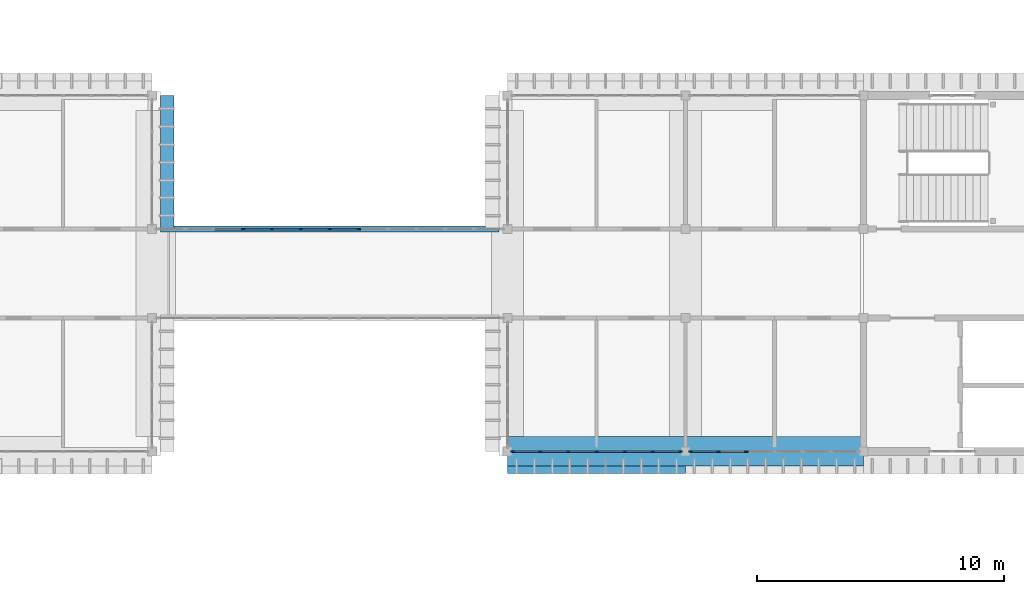
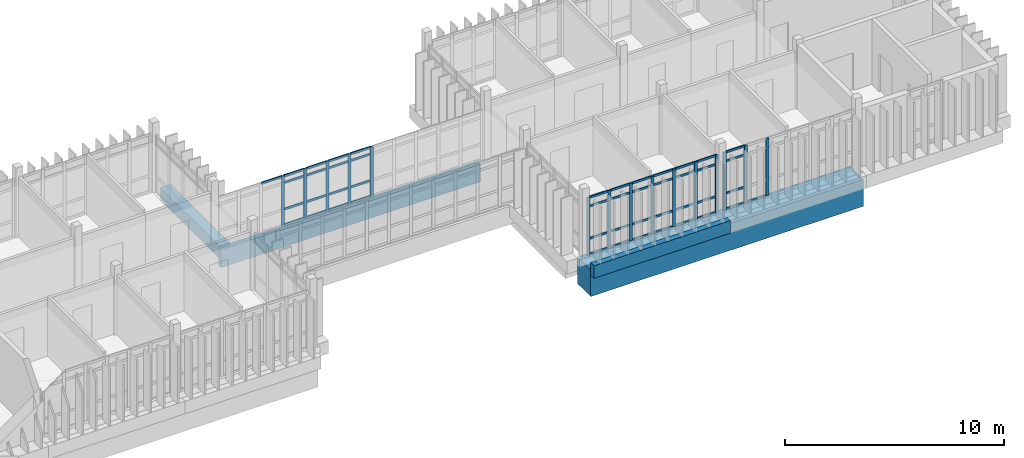
# One storey, part 15 of 69: 63 members, 2 beams, 3 elements without a shape of their own.
"""IFC4 building model written with IfcOpenShell, lengths in metres."""

from ifc_helpers import new_model, si_unit, direction, frame, origin, origin_2d, place, context, subcontext, project, spatial, rectangle, extrude, material, layer, layer_set, material_profile, profile_set, type_object, element, aggregate, save


model = new_model("IFC4")

# Units and contexts
model_context = context("Model", 3, precision=1e-05, world=origin(), true_north=direction((0.0, 1.0)))
body_context = subcontext(model_context, "Body", "Model", "MODEL_VIEW")
ifc_project = project(units=[si_unit("LENGTHUNIT", "METRE"), si_unit("AREAUNIT", "SQUARE_METRE"), si_unit("VOLUMEUNIT", "CUBIC_METRE"), si_unit("PLANEANGLEUNIT", "RADIAN"), si_unit("MASSUNIT", "GRAM", prefix="KILO")], contexts=[model_context])

# Site, building, storey
site_placement = place(None, origin())
site = spatial("IfcSite", under=ifc_project, at=site_placement, CompositionType="ELEMENT")
building_placement = place(site_placement, origin())
building = spatial("IfcBuilding", under=site, at=building_placement, Name="Mazhai Court Health Centre", CompositionType="ELEMENT")
storey_placement = place(building_placement, frame((0.0, 0.0, 6.300048828125)))
storey = spatial("IfcBuildingStorey", under=building, at=storey_placement, Name="L01", CompositionType="ELEMENT", Elevation=6.300048828125)

# Curtain wall, members
ifc_material_1 = material(Name="Teak timber frame, glazed", Category="wood")
ifc_layer = layer(ifc_material_1, 0.10009765625)
ifc_layer_set = layer_set([ifc_layer], Name="CURTAIN WALL TIMBER 1200")
curtain_wall_type = type_object("IfcCurtainWallType", Name="CURTAIN WALL TIMBER 1200", PredefinedType="NOTDEFINED", material=ifc_layer_set)
curtain_wall_1_placement = place(storey_placement, origin())
curtain_wall_1 = element("IfcCurtainWall", 1, at=curtain_wall_1_placement, inside=storey, type_object=curtain_wall_type, Name="CW-V4-L01-A5", PredefinedType="NOTDEFINED")
ifc_material_2 = material(Name="Teak timber", Category="wood")
ifc_material_profile_1 = material_profile(ifc_material_2, rectangle(XDim=0.06005859375, YDim=0.159912109375, at=origin_2d()), Name="CW MULLION 60x160")
ifc_profile_set_1 = profile_set([ifc_material_profile_1], Name="Teak timber")
member_type_1 = type_object("IfcMemberType", Name="CW MULLION 60x160", PredefinedType="MULLION", material=ifc_profile_set_1)
member_1_placement = place(storey_placement, frame((113.989990234375, 13.39990234375, 0.0), z_axis=(0.0, 0.0, 1.0), x_axis=(0.0, -1.0, 0.0)))
member_1 = element("IfcMember", 2, at=member_1_placement, type_object=member_type_1, Name="CW mullion 1", PredefinedType="MULLION", context=body_context, shape_type="SweptSolid", body=[
    extrude(rectangle(XDim=0.06005859375, YDim=0.159912109375, at=origin_2d()), origin(), (0.0, 0.0, 1.0), 3.219970703125),
])
member_2_placement = place(storey_placement, frame((112.8798828125, 13.39990234375, 0.0), z_axis=(0.0, 0.0, 1.0), x_axis=(0.0, -1.0, 0.0)))
member_2 = element("IfcMember", 3, at=member_2_placement, type_object=member_type_1, Name="CW mullion 2", PredefinedType="MULLION", context=body_context, shape_type="SweptSolid", body=[
    extrude(rectangle(XDim=0.06005859375, YDim=0.159912109375, at=origin_2d()), origin(), (0.0, 0.0, 1.0), 3.219970703125),
])
member_3_placement = place(storey_placement, frame((111.739990234375, 13.39990234375, 0.0), z_axis=(0.0, 0.0, 1.0), x_axis=(0.0, -1.0, 0.0)))
member_3 = element("IfcMember", 4, at=member_3_placement, type_object=member_type_1, Name="CW mullion 3", PredefinedType="MULLION", context=body_context, shape_type="SweptSolid", body=[
    extrude(rectangle(XDim=0.06005859375, YDim=0.159912109375, at=origin_2d()), origin(), (0.0, 0.0, 1.0), 3.219970703125),
])
member_4_placement = place(storey_placement, frame((110.60009765625, 13.39990234375, 0.0), z_axis=(0.0, 0.0, 1.0), x_axis=(0.0, -1.0, 0.0)))
member_4 = element("IfcMember", 5, at=member_4_placement, type_object=member_type_1, Name="CW mullion 4", PredefinedType="MULLION", context=body_context, shape_type="SweptSolid", body=[
    extrude(rectangle(XDim=0.06005859375, YDim=0.159912109375, at=origin_2d()), origin(), (0.0, 0.0, 1.0), 3.219970703125),
])
member_5_placement = place(storey_placement, frame((109.4599609375, 13.39990234375, 0.0), z_axis=(0.0, 0.0, 1.0), x_axis=(0.0, -1.0, 0.0)))
member_5 = element("IfcMember", 6, at=member_5_placement, type_object=member_type_1, Name="CW mullion 5", PredefinedType="MULLION", context=body_context, shape_type="SweptSolid", body=[
    extrude(rectangle(XDim=0.06005859375, YDim=0.159912109375, at=origin_2d()), origin(), (0.0, 0.0, 1.0), 3.219970703125),
])
member_6_placement = place(storey_placement, frame((108.320068359375, 13.39990234375, 0.0), z_axis=(0.0, 0.0, 1.0), x_axis=(0.0, -1.0, 0.0)))
member_6 = element("IfcMember", 7, at=member_6_placement, type_object=member_type_1, Name="CW mullion 6", PredefinedType="MULLION", context=body_context, shape_type="SweptSolid", body=[
    extrude(rectangle(XDim=0.06005859375, YDim=0.159912109375, at=origin_2d()), origin(), (0.0, 0.0, 1.0), 3.219970703125),
])
member_7_placement = place(storey_placement, frame((107.2099609375, 13.39990234375, 0.0), z_axis=(0.0, 0.0, 1.0), x_axis=(0.0, -1.0, 0.0)))
member_7 = element("IfcMember", 8, at=member_7_placement, type_object=member_type_1, Name="CW mullion 7", PredefinedType="MULLION", context=body_context, shape_type="SweptSolid", body=[
    extrude(rectangle(XDim=0.06005859375, YDim=0.159912109375, at=origin_2d()), origin(), (0.0, 0.0, 1.0), 3.219970703125),
])

curtain_wall_2_placement = place(storey_placement, origin())
curtain_wall_2 = element("IfcCurtainWall", 9, at=curtain_wall_2_placement, inside=storey, type_object=curtain_wall_type, Name="CW-V4-L01-A6", PredefinedType="NOTDEFINED")
member_8_placement = place(storey_placement, frame((116.659912109375, 13.39990234375, 0.0), z_axis=(0.0, 0.0, 1.0), x_axis=(0.0, -1.0, 0.0)))
member_8 = element("IfcMember", 10, at=member_8_placement, type_object=member_type_1, Name="CW mullion 5", PredefinedType="MULLION", context=body_context, shape_type="SweptSolid", body=[
    extrude(rectangle(XDim=0.06005859375, YDim=0.159912109375, at=origin_2d()), origin(), (0.0, 0.0, 1.0), 3.219970703125),
])
member_9_placement = place(storey_placement, frame((115.52001953125, 13.39990234375, 0.0), z_axis=(0.0, 0.0, 1.0), x_axis=(0.0, -1.0, 0.0)))
member_9 = element("IfcMember", 11, at=member_9_placement, type_object=member_type_1, Name="CW mullion 6", PredefinedType="MULLION", context=body_context, shape_type="SweptSolid", body=[
    extrude(rectangle(XDim=0.06005859375, YDim=0.159912109375, at=origin_2d()), origin(), (0.0, 0.0, 1.0), 3.219970703125),
])
member_10_placement = place(storey_placement, frame((114.409912109375, 13.39990234375, 0.0), z_axis=(0.0, 0.0, 1.0), x_axis=(0.0, -1.0, 0.0)))
member_10 = element("IfcMember", 12, at=member_10_placement, type_object=member_type_1, Name="CW mullion 7", PredefinedType="MULLION", context=body_context, shape_type="SweptSolid", body=[
    extrude(rectangle(XDim=0.06005859375, YDim=0.159912109375, at=origin_2d()), origin(), (0.0, 0.0, 1.0), 3.219970703125),
])

curtain_wall_3_placement = place(storey_placement, origin())
curtain_wall_3 = element("IfcCurtainWall", 13, at=curtain_wall_3_placement, inside=storey, type_object=curtain_wall_type, Name="CW-BR-LC1-N", PredefinedType="NOTDEFINED")
member_11_placement = place(storey_placement, frame((96.2900390625, 22.39990234375, 0.0), z_axis=(0.0, 0.0, 1.0), x_axis=(0.0, 1.0, 0.0)))
member_11 = element("IfcMember", 14, at=member_11_placement, type_object=member_type_1, Name="CW mullion 4", PredefinedType="MULLION", context=body_context, shape_type="SweptSolid", body=[
    extrude(rectangle(XDim=0.06005859375, YDim=0.159912109375, at=origin_2d()), origin(), (0.0, 0.0, 1.0), 2.780029296875),
])
member_12_placement = place(storey_placement, frame((97.4599609375, 22.39990234375, 0.0), z_axis=(0.0, 0.0, 1.0), x_axis=(0.0, 1.0, 0.0)))
member_12 = element("IfcMember", 15, at=member_12_placement, type_object=member_type_1, Name="CW mullion 5", PredefinedType="MULLION", context=body_context, shape_type="SweptSolid", body=[
    extrude(rectangle(XDim=0.06005859375, YDim=0.159912109375, at=origin_2d()), origin(), (0.0, 0.0, 1.0), 2.780029296875),
])
member_13_placement = place(storey_placement, frame((98.6298828125, 22.39990234375, 0.0), z_axis=(0.0, 0.0, 1.0), x_axis=(0.0, 1.0, 0.0)))
member_13 = element("IfcMember", 16, at=member_13_placement, type_object=member_type_1, Name="CW mullion 6", PredefinedType="MULLION", context=body_context, shape_type="SweptSolid", body=[
    extrude(rectangle(XDim=0.06005859375, YDim=0.159912109375, at=origin_2d()), origin(), (0.0, 0.0, 1.0), 2.780029296875),
])
member_14_placement = place(storey_placement, frame((99.800048828125, 22.39990234375, 0.0), z_axis=(0.0, 0.0, 1.0), x_axis=(0.0, 1.0, 0.0)))
member_14 = element("IfcMember", 17, at=member_14_placement, type_object=member_type_1, Name="CW mullion 7", PredefinedType="MULLION", context=body_context, shape_type="SweptSolid", body=[
    extrude(rectangle(XDim=0.06005859375, YDim=0.159912109375, at=origin_2d()), origin(), (0.0, 0.0, 1.0), 2.780029296875),
])
member_15_placement = place(storey_placement, frame((100.969970703125, 22.39990234375, 0.0), z_axis=(0.0, 0.0, 1.0), x_axis=(0.0, 1.0, 0.0)))
member_15 = element("IfcMember", 18, at=member_15_placement, type_object=member_type_1, Name="CW mullion 8", PredefinedType="MULLION", context=body_context, shape_type="SweptSolid", body=[
    extrude(rectangle(XDim=0.06005859375, YDim=0.159912109375, at=origin_2d()), origin(), (0.0, 0.0, 1.0), 2.780029296875),
])

# Member
ifc_material_3 = material(Name="Teak timber", Category="wood")
ifc_material_profile_2 = material_profile(ifc_material_3, rectangle(XDim=0.06005859375, YDim=0.1201171875, at=origin_2d()), Name="CW TRANSOM 60x120")
ifc_profile_set_2 = profile_set([ifc_material_profile_2], Name="Teak timber")
member_type_2 = type_object("IfcMemberType", Name="CW TRANSOM 60x120", PredefinedType="USERDEFINED", material=ifc_profile_set_2)
member_16_placement = place(storey_placement, frame((113.9599609375, 13.39990234375, 0.030029296875), z_axis=(-1.0, 0.0, 0.0), x_axis=(0.0, -1.0, 0.0)))
member_16 = element("IfcMember", 19, at=member_16_placement, type_object=member_type_2, Name="CW transom 1.1", ObjectType="TRANSOM", PredefinedType="USERDEFINED", context=body_context, shape_type="SweptSolid", body=[
    extrude(rectangle(XDim=0.06005859375, YDim=0.1201171875, at=origin_2d()), origin(), (0.0, 0.0, 1.0), 1.050048828125),
])

member_17_placement = place(storey_placement, frame((113.9599609375, 13.39990234375, 0.89990234375), z_axis=(-1.0, 0.0, 0.0), x_axis=(0.0, -1.0, 0.0)))
member_17 = element("IfcMember", 20, at=member_17_placement, type_object=member_type_2, Name="CW transom 1.2", ObjectType="TRANSOM", PredefinedType="USERDEFINED", context=body_context, shape_type="SweptSolid", body=[
    extrude(rectangle(XDim=0.06005859375, YDim=0.1201171875, at=origin_2d()), origin(), (0.0, 0.0, 1.0), 1.050048828125),
])

member_18_placement = place(storey_placement, frame((113.9599609375, 13.39990234375, 2.699951171875), z_axis=(-1.0, 0.0, 0.0), x_axis=(0.0, -1.0, 0.0)))
member_18 = element("IfcMember", 21, at=member_18_placement, type_object=member_type_2, Name="CW transom 1.3", ObjectType="TRANSOM", PredefinedType="USERDEFINED", context=body_context, shape_type="SweptSolid", body=[
    extrude(rectangle(XDim=0.06005859375, YDim=0.1201171875, at=origin_2d()), origin(), (0.0, 0.0, 1.0), 1.050048828125),
])

member_19_placement = place(storey_placement, frame((113.9599609375, 13.39990234375, 3.18994140625), z_axis=(-1.0, 0.0, 0.0), x_axis=(0.0, -1.0, 0.0)))
member_19 = element("IfcMember", 22, at=member_19_placement, type_object=member_type_2, Name="CW transom 1.4", ObjectType="TRANSOM", PredefinedType="USERDEFINED", context=body_context, shape_type="SweptSolid", body=[
    extrude(rectangle(XDim=0.06005859375, YDim=0.1201171875, at=origin_2d()), origin(), (0.0, 0.0, 1.0), 1.050048828125),
])

member_20_placement = place(storey_placement, frame((112.85009765625, 13.39990234375, 0.030029296875), z_axis=(-1.0, 0.0, 0.0), x_axis=(0.0, -1.0, 0.0)))
member_20 = element("IfcMember", 23, at=member_20_placement, type_object=member_type_2, Name="CW transom 2.1", ObjectType="TRANSOM", PredefinedType="USERDEFINED", context=body_context, shape_type="SweptSolid", body=[
    extrude(rectangle(XDim=0.06005859375, YDim=0.1201171875, at=origin_2d()), origin(), (0.0, 0.0, 1.0), 1.080078125),
])

member_21_placement = place(storey_placement, frame((112.85009765625, 13.39990234375, 0.89990234375), z_axis=(-1.0, 0.0, 0.0), x_axis=(0.0, -1.0, 0.0)))
member_21 = element("IfcMember", 24, at=member_21_placement, type_object=member_type_2, Name="CW transom 2.2", ObjectType="TRANSOM", PredefinedType="USERDEFINED", context=body_context, shape_type="SweptSolid", body=[
    extrude(rectangle(XDim=0.06005859375, YDim=0.1201171875, at=origin_2d()), origin(), (0.0, 0.0, 1.0), 1.080078125),
])

member_22_placement = place(storey_placement, frame((112.85009765625, 13.39990234375, 2.699951171875), z_axis=(-1.0, 0.0, 0.0), x_axis=(0.0, -1.0, 0.0)))
member_22 = element("IfcMember", 25, at=member_22_placement, type_object=member_type_2, Name="CW transom 2.3", ObjectType="TRANSOM", PredefinedType="USERDEFINED", context=body_context, shape_type="SweptSolid", body=[
    extrude(rectangle(XDim=0.06005859375, YDim=0.1201171875, at=origin_2d()), origin(), (0.0, 0.0, 1.0), 1.080078125),
])

member_23_placement = place(storey_placement, frame((112.85009765625, 13.39990234375, 3.18994140625), z_axis=(-1.0, 0.0, 0.0), x_axis=(0.0, -1.0, 0.0)))
member_23 = element("IfcMember", 26, at=member_23_placement, type_object=member_type_2, Name="CW transom 2.4", ObjectType="TRANSOM", PredefinedType="USERDEFINED", context=body_context, shape_type="SweptSolid", body=[
    extrude(rectangle(XDim=0.06005859375, YDim=0.1201171875, at=origin_2d()), origin(), (0.0, 0.0, 1.0), 1.080078125),
])

member_24_placement = place(storey_placement, frame((111.7099609375, 13.39990234375, 0.030029296875), z_axis=(-1.0, 0.0, 0.0), x_axis=(0.0, -1.0, 0.0)))
member_24 = element("IfcMember", 27, at=member_24_placement, type_object=member_type_2, Name="CW transom 3.1", ObjectType="TRANSOM", PredefinedType="USERDEFINED", context=body_context, shape_type="SweptSolid", body=[
    extrude(rectangle(XDim=0.06005859375, YDim=0.1201171875, at=origin_2d()), origin(), (0.0, 0.0, 1.0), 1.080078125),
])

member_25_placement = place(storey_placement, frame((111.7099609375, 13.39990234375, 0.89990234375), z_axis=(-1.0, 0.0, 0.0), x_axis=(0.0, -1.0, 0.0)))
member_25 = element("IfcMember", 28, at=member_25_placement, type_object=member_type_2, Name="CW transom 3.2", ObjectType="TRANSOM", PredefinedType="USERDEFINED", context=body_context, shape_type="SweptSolid", body=[
    extrude(rectangle(XDim=0.06005859375, YDim=0.1201171875, at=origin_2d()), origin(), (0.0, 0.0, 1.0), 1.080078125),
])

member_26_placement = place(storey_placement, frame((111.7099609375, 13.39990234375, 2.699951171875), z_axis=(-1.0, 0.0, 0.0), x_axis=(0.0, -1.0, 0.0)))
member_26 = element("IfcMember", 29, at=member_26_placement, type_object=member_type_2, Name="CW transom 3.3", ObjectType="TRANSOM", PredefinedType="USERDEFINED", context=body_context, shape_type="SweptSolid", body=[
    extrude(rectangle(XDim=0.06005859375, YDim=0.1201171875, at=origin_2d()), origin(), (0.0, 0.0, 1.0), 1.080078125),
])

member_27_placement = place(storey_placement, frame((111.7099609375, 13.39990234375, 3.18994140625), z_axis=(-1.0, 0.0, 0.0), x_axis=(0.0, -1.0, 0.0)))
member_27 = element("IfcMember", 30, at=member_27_placement, type_object=member_type_2, Name="CW transom 3.4", ObjectType="TRANSOM", PredefinedType="USERDEFINED", context=body_context, shape_type="SweptSolid", body=[
    extrude(rectangle(XDim=0.06005859375, YDim=0.1201171875, at=origin_2d()), origin(), (0.0, 0.0, 1.0), 1.080078125),
])

member_28_placement = place(storey_placement, frame((110.570068359375, 13.39990234375, 0.030029296875), z_axis=(-1.0, 0.0, 0.0), x_axis=(0.0, -1.0, 0.0)))
member_28 = element("IfcMember", 31, at=member_28_placement, type_object=member_type_2, Name="CW transom 4.1", ObjectType="TRANSOM", PredefinedType="USERDEFINED", context=body_context, shape_type="SweptSolid", body=[
    extrude(rectangle(XDim=0.06005859375, YDim=0.1201171875, at=origin_2d()), origin(), (0.0, 0.0, 1.0), 1.080078125),
])

member_29_placement = place(storey_placement, frame((110.570068359375, 13.39990234375, 0.89990234375), z_axis=(-1.0, 0.0, 0.0), x_axis=(0.0, -1.0, 0.0)))
member_29 = element("IfcMember", 32, at=member_29_placement, type_object=member_type_2, Name="CW transom 4.2", ObjectType="TRANSOM", PredefinedType="USERDEFINED", context=body_context, shape_type="SweptSolid", body=[
    extrude(rectangle(XDim=0.06005859375, YDim=0.1201171875, at=origin_2d()), origin(), (0.0, 0.0, 1.0), 1.080078125),
])

member_30_placement = place(storey_placement, frame((110.570068359375, 13.39990234375, 2.699951171875), z_axis=(-1.0, 0.0, 0.0), x_axis=(0.0, -1.0, 0.0)))
member_30 = element("IfcMember", 33, at=member_30_placement, type_object=member_type_2, Name="CW transom 4.3", ObjectType="TRANSOM", PredefinedType="USERDEFINED", context=body_context, shape_type="SweptSolid", body=[
    extrude(rectangle(XDim=0.06005859375, YDim=0.1201171875, at=origin_2d()), origin(), (0.0, 0.0, 1.0), 1.080078125),
])

member_31_placement = place(storey_placement, frame((110.570068359375, 13.39990234375, 3.18994140625), z_axis=(-1.0, 0.0, 0.0), x_axis=(0.0, -1.0, 0.0)))
member_31 = element("IfcMember", 34, at=member_31_placement, type_object=member_type_2, Name="CW transom 4.4", ObjectType="TRANSOM", PredefinedType="USERDEFINED", context=body_context, shape_type="SweptSolid", body=[
    extrude(rectangle(XDim=0.06005859375, YDim=0.1201171875, at=origin_2d()), origin(), (0.0, 0.0, 1.0), 1.080078125),
])

member_32_placement = place(storey_placement, frame((109.429931640625, 13.39990234375, 0.030029296875), z_axis=(-1.0, 0.0, 0.0), x_axis=(0.0, -1.0, 0.0)))
member_32 = element("IfcMember", 35, at=member_32_placement, type_object=member_type_2, Name="CW transom 5.1", ObjectType="TRANSOM", PredefinedType="USERDEFINED", context=body_context, shape_type="SweptSolid", body=[
    extrude(rectangle(XDim=0.06005859375, YDim=0.1201171875, at=origin_2d()), origin(), (0.0, 0.0, 1.0), 1.079833984375),
])

member_33_placement = place(storey_placement, frame((109.429931640625, 13.39990234375, 0.89990234375), z_axis=(-1.0, 0.0, 0.0), x_axis=(0.0, -1.0, 0.0)))
member_33 = element("IfcMember", 36, at=member_33_placement, type_object=member_type_2, Name="CW transom 5.2", ObjectType="TRANSOM", PredefinedType="USERDEFINED", context=body_context, shape_type="SweptSolid", body=[
    extrude(rectangle(XDim=0.06005859375, YDim=0.1201171875, at=origin_2d()), origin(), (0.0, 0.0, 1.0), 1.079833984375),
])

member_34_placement = place(storey_placement, frame((109.429931640625, 13.39990234375, 2.699951171875), z_axis=(-1.0, 0.0, 0.0), x_axis=(0.0, -1.0, 0.0)))
member_34 = element("IfcMember", 37, at=member_34_placement, type_object=member_type_2, Name="CW transom 5.3", ObjectType="TRANSOM", PredefinedType="USERDEFINED", context=body_context, shape_type="SweptSolid", body=[
    extrude(rectangle(XDim=0.06005859375, YDim=0.1201171875, at=origin_2d()), origin(), (0.0, 0.0, 1.0), 1.079833984375),
])

member_35_placement = place(storey_placement, frame((109.429931640625, 13.39990234375, 3.18994140625), z_axis=(-1.0, 0.0, 0.0), x_axis=(0.0, -1.0, 0.0)))
member_35 = element("IfcMember", 38, at=member_35_placement, type_object=member_type_2, Name="CW transom 5.4", ObjectType="TRANSOM", PredefinedType="USERDEFINED", context=body_context, shape_type="SweptSolid", body=[
    extrude(rectangle(XDim=0.06005859375, YDim=0.1201171875, at=origin_2d()), origin(), (0.0, 0.0, 1.0), 1.079833984375),
])

member_36_placement = place(storey_placement, frame((108.2900390625, 13.39990234375, 0.030029296875), z_axis=(-1.0, 0.0, 0.0), x_axis=(0.0, -1.0, 0.0)))
member_36 = element("IfcMember", 39, at=member_36_placement, type_object=member_type_2, Name="CW transom 6.1", ObjectType="TRANSOM", PredefinedType="USERDEFINED", context=body_context, shape_type="SweptSolid", body=[
    extrude(rectangle(XDim=0.06005859375, YDim=0.1201171875, at=origin_2d()), origin(), (0.0, 0.0, 1.0), 1.050048828125),
])

member_37_placement = place(storey_placement, frame((108.2900390625, 13.39990234375, 0.89990234375), z_axis=(-1.0, 0.0, 0.0), x_axis=(0.0, -1.0, 0.0)))
member_37 = element("IfcMember", 40, at=member_37_placement, type_object=member_type_2, Name="CW transom 6.2", ObjectType="TRANSOM", PredefinedType="USERDEFINED", context=body_context, shape_type="SweptSolid", body=[
    extrude(rectangle(XDim=0.06005859375, YDim=0.1201171875, at=origin_2d()), origin(), (0.0, 0.0, 1.0), 1.050048828125),
])

member_38_placement = place(storey_placement, frame((108.2900390625, 13.39990234375, 2.699951171875), z_axis=(-1.0, 0.0, 0.0), x_axis=(0.0, -1.0, 0.0)))
member_38 = element("IfcMember", 41, at=member_38_placement, type_object=member_type_2, Name="CW transom 6.3", ObjectType="TRANSOM", PredefinedType="USERDEFINED", context=body_context, shape_type="SweptSolid", body=[
    extrude(rectangle(XDim=0.06005859375, YDim=0.1201171875, at=origin_2d()), origin(), (0.0, 0.0, 1.0), 1.050048828125),
])

member_39_placement = place(storey_placement, frame((108.2900390625, 13.39990234375, 3.18994140625), z_axis=(-1.0, 0.0, 0.0), x_axis=(0.0, -1.0, 0.0)))
member_39 = element("IfcMember", 42, at=member_39_placement, type_object=member_type_2, Name="CW transom 6.4", ObjectType="TRANSOM", PredefinedType="USERDEFINED", context=body_context, shape_type="SweptSolid", body=[
    extrude(rectangle(XDim=0.06005859375, YDim=0.1201171875, at=origin_2d()), origin(), (0.0, 0.0, 1.0), 1.050048828125),
])

aggregate(curtain_wall_1, [member_1, member_2, member_3, member_4, member_5, member_6, member_7, member_16, member_17, member_18, member_19, member_20, member_21, member_22, member_23, member_24, member_25, member_26, member_27, member_28, member_29, member_30, member_31, member_32, member_33, member_34, member_35, member_36, member_37, member_38, member_39])

member_40_placement = place(storey_placement, frame((116.6298828125, 13.39990234375, 0.030029296875), z_axis=(-1.0, 0.0, 0.0), x_axis=(0.0, -1.0, 0.0)))
member_40 = element("IfcMember", 43, at=member_40_placement, type_object=member_type_2, Name="CW transom 5.1", ObjectType="TRANSOM", PredefinedType="USERDEFINED", context=body_context, shape_type="SweptSolid", body=[
    extrude(rectangle(XDim=0.06005859375, YDim=0.1201171875, at=origin_2d()), origin(), (0.0, 0.0, 1.0), 1.079833984375),
])

member_41_placement = place(storey_placement, frame((115.489990234375, 13.39990234375, 0.030029296875), z_axis=(-1.0, 0.0, 0.0), x_axis=(0.0, -1.0, 0.0)))
member_41 = element("IfcMember", 44, at=member_41_placement, type_object=member_type_2, Name="CW transom 6.1", ObjectType="TRANSOM", PredefinedType="USERDEFINED", context=body_context, shape_type="SweptSolid", body=[
    extrude(rectangle(XDim=0.06005859375, YDim=0.1201171875, at=origin_2d()), origin(), (0.0, 0.0, 1.0), 1.050048828125),
])

member_42_placement = place(storey_placement, frame((115.489990234375, 13.39990234375, 0.89990234375), z_axis=(-1.0, 0.0, 0.0), x_axis=(0.0, -1.0, 0.0)))
member_42 = element("IfcMember", 45, at=member_42_placement, type_object=member_type_2, Name="CW transom 6.2", ObjectType="TRANSOM", PredefinedType="USERDEFINED", context=body_context, shape_type="SweptSolid", body=[
    extrude(rectangle(XDim=0.06005859375, YDim=0.1201171875, at=origin_2d()), origin(), (0.0, 0.0, 1.0), 1.050048828125),
])

member_43_placement = place(storey_placement, frame((115.489990234375, 13.39990234375, 2.699951171875), z_axis=(-1.0, 0.0, 0.0), x_axis=(0.0, -1.0, 0.0)))
member_43 = element("IfcMember", 46, at=member_43_placement, type_object=member_type_2, Name="CW transom 6.3", ObjectType="TRANSOM", PredefinedType="USERDEFINED", context=body_context, shape_type="SweptSolid", body=[
    extrude(rectangle(XDim=0.06005859375, YDim=0.1201171875, at=origin_2d()), origin(), (0.0, 0.0, 1.0), 1.050048828125),
])

member_44_placement = place(storey_placement, frame((115.489990234375, 13.39990234375, 3.18994140625), z_axis=(-1.0, 0.0, 0.0), x_axis=(0.0, -1.0, 0.0)))
member_44 = element("IfcMember", 47, at=member_44_placement, type_object=member_type_2, Name="CW transom 6.4", ObjectType="TRANSOM", PredefinedType="USERDEFINED", context=body_context, shape_type="SweptSolid", body=[
    extrude(rectangle(XDim=0.06005859375, YDim=0.1201171875, at=origin_2d()), origin(), (0.0, 0.0, 1.0), 1.050048828125),
])

aggregate(curtain_wall_2, [member_8, member_9, member_10, member_40, member_41, member_42, member_43, member_44])

member_45_placement = place(storey_placement, frame((95.14990234375, 22.39990234375, 2.75), z_axis=(1.0, 0.0, 0.0), x_axis=(0.0, 1.0, 0.0)))
member_45 = element("IfcMember", 48, at=member_45_placement, type_object=member_type_2, Name="CW transom 3.4", ObjectType="TRANSOM", PredefinedType="USERDEFINED", context=body_context, shape_type="SweptSolid", body=[
    extrude(rectangle(XDim=0.06005859375, YDim=0.1201171875, at=origin_2d()), origin(), (0.0, 0.0, 1.0), 1.110107421875),
])

member_46_placement = place(storey_placement, frame((96.320068359375, 22.39990234375, 0.030029296875), z_axis=(1.0, 0.0, 0.0), x_axis=(0.0, 1.0, 0.0)))
member_46 = element("IfcMember", 49, at=member_46_placement, type_object=member_type_2, Name="CW transom 4.1", ObjectType="TRANSOM", PredefinedType="USERDEFINED", context=body_context, shape_type="SweptSolid", body=[
    extrude(rectangle(XDim=0.06005859375, YDim=0.1201171875, at=origin_2d()), origin(), (0.0, 0.0, 1.0), 1.10986328125),
])

member_47_placement = place(storey_placement, frame((96.320068359375, 22.39990234375, 0.89990234375), z_axis=(1.0, 0.0, 0.0), x_axis=(0.0, 1.0, 0.0)))
member_47 = element("IfcMember", 50, at=member_47_placement, type_object=member_type_2, Name="CW transom 4.2", ObjectType="TRANSOM", PredefinedType="USERDEFINED", context=body_context, shape_type="SweptSolid", body=[
    extrude(rectangle(XDim=0.06005859375, YDim=0.1201171875, at=origin_2d()), origin(), (0.0, 0.0, 1.0), 1.10986328125),
])

member_48_placement = place(storey_placement, frame((96.320068359375, 22.39990234375, 2.3798828125), z_axis=(1.0, 0.0, 0.0), x_axis=(0.0, 1.0, 0.0)))
member_48 = element("IfcMember", 51, at=member_48_placement, type_object=member_type_2, Name="CW transom 4.3", ObjectType="TRANSOM", PredefinedType="USERDEFINED", context=body_context, shape_type="SweptSolid", body=[
    extrude(rectangle(XDim=0.06005859375, YDim=0.1201171875, at=origin_2d()), origin(), (0.0, 0.0, 1.0), 1.10986328125),
])

member_49_placement = place(storey_placement, frame((96.320068359375, 22.39990234375, 2.75), z_axis=(1.0, 0.0, 0.0), x_axis=(0.0, 1.0, 0.0)))
member_49 = element("IfcMember", 52, at=member_49_placement, type_object=member_type_2, Name="CW transom 4.4", ObjectType="TRANSOM", PredefinedType="USERDEFINED", context=body_context, shape_type="SweptSolid", body=[
    extrude(rectangle(XDim=0.06005859375, YDim=0.1201171875, at=origin_2d()), origin(), (0.0, 0.0, 1.0), 1.10986328125),
])

member_50_placement = place(storey_placement, frame((97.489990234375, 22.39990234375, 0.030029296875), z_axis=(1.0, 0.0, 0.0), x_axis=(0.0, 1.0, 0.0)))
member_50 = element("IfcMember", 53, at=member_50_placement, type_object=member_type_2, Name="CW transom 5.1", ObjectType="TRANSOM", PredefinedType="USERDEFINED", context=body_context, shape_type="SweptSolid", body=[
    extrude(rectangle(XDim=0.06005859375, YDim=0.1201171875, at=origin_2d()), origin(), (0.0, 0.0, 1.0), 1.110107421875),
])

member_51_placement = place(storey_placement, frame((97.489990234375, 22.39990234375, 0.89990234375), z_axis=(1.0, 0.0, 0.0), x_axis=(0.0, 1.0, 0.0)))
member_51 = element("IfcMember", 54, at=member_51_placement, type_object=member_type_2, Name="CW transom 5.2", ObjectType="TRANSOM", PredefinedType="USERDEFINED", context=body_context, shape_type="SweptSolid", body=[
    extrude(rectangle(XDim=0.06005859375, YDim=0.1201171875, at=origin_2d()), origin(), (0.0, 0.0, 1.0), 1.110107421875),
])

member_52_placement = place(storey_placement, frame((97.489990234375, 22.39990234375, 2.3798828125), z_axis=(1.0, 0.0, 0.0), x_axis=(0.0, 1.0, 0.0)))
member_52 = element("IfcMember", 55, at=member_52_placement, type_object=member_type_2, Name="CW transom 5.3", ObjectType="TRANSOM", PredefinedType="USERDEFINED", context=body_context, shape_type="SweptSolid", body=[
    extrude(rectangle(XDim=0.06005859375, YDim=0.1201171875, at=origin_2d()), origin(), (0.0, 0.0, 1.0), 1.110107421875),
])

member_53_placement = place(storey_placement, frame((97.489990234375, 22.39990234375, 2.75), z_axis=(1.0, 0.0, 0.0), x_axis=(0.0, 1.0, 0.0)))
member_53 = element("IfcMember", 56, at=member_53_placement, type_object=member_type_2, Name="CW transom 5.4", ObjectType="TRANSOM", PredefinedType="USERDEFINED", context=body_context, shape_type="SweptSolid", body=[
    extrude(rectangle(XDim=0.06005859375, YDim=0.1201171875, at=origin_2d()), origin(), (0.0, 0.0, 1.0), 1.110107421875),
])

member_54_placement = place(storey_placement, frame((98.659912109375, 22.39990234375, 0.030029296875), z_axis=(1.0, 0.0, 0.0), x_axis=(0.0, 1.0, 0.0)))
member_54 = element("IfcMember", 57, at=member_54_placement, type_object=member_type_2, Name="CW transom 6.1", ObjectType="TRANSOM", PredefinedType="USERDEFINED", context=body_context, shape_type="SweptSolid", body=[
    extrude(rectangle(XDim=0.06005859375, YDim=0.1201171875, at=origin_2d()), origin(), (0.0, 0.0, 1.0), 1.110107421875),
])

member_55_placement = place(storey_placement, frame((98.659912109375, 22.39990234375, 0.89990234375), z_axis=(1.0, 0.0, 0.0), x_axis=(0.0, 1.0, 0.0)))
member_55 = element("IfcMember", 58, at=member_55_placement, type_object=member_type_2, Name="CW transom 6.2", ObjectType="TRANSOM", PredefinedType="USERDEFINED", context=body_context, shape_type="SweptSolid", body=[
    extrude(rectangle(XDim=0.06005859375, YDim=0.1201171875, at=origin_2d()), origin(), (0.0, 0.0, 1.0), 1.110107421875),
])

member_56_placement = place(storey_placement, frame((98.659912109375, 22.39990234375, 2.3798828125), z_axis=(1.0, 0.0, 0.0), x_axis=(0.0, 1.0, 0.0)))
member_56 = element("IfcMember", 59, at=member_56_placement, type_object=member_type_2, Name="CW transom 6.3", ObjectType="TRANSOM", PredefinedType="USERDEFINED", context=body_context, shape_type="SweptSolid", body=[
    extrude(rectangle(XDim=0.06005859375, YDim=0.1201171875, at=origin_2d()), origin(), (0.0, 0.0, 1.0), 1.110107421875),
])

member_57_placement = place(storey_placement, frame((98.659912109375, 22.39990234375, 2.75), z_axis=(1.0, 0.0, 0.0), x_axis=(0.0, 1.0, 0.0)))
member_57 = element("IfcMember", 60, at=member_57_placement, type_object=member_type_2, Name="CW transom 6.4", ObjectType="TRANSOM", PredefinedType="USERDEFINED", context=body_context, shape_type="SweptSolid", body=[
    extrude(rectangle(XDim=0.06005859375, YDim=0.1201171875, at=origin_2d()), origin(), (0.0, 0.0, 1.0), 1.110107421875),
])

member_58_placement = place(storey_placement, frame((99.830078125, 22.39990234375, 0.030029296875), z_axis=(1.0, 0.0, 0.0), x_axis=(0.0, 1.0, 0.0)))
member_58 = element("IfcMember", 61, at=member_58_placement, type_object=member_type_2, Name="CW transom 7.1", ObjectType="TRANSOM", PredefinedType="USERDEFINED", context=body_context, shape_type="SweptSolid", body=[
    extrude(rectangle(XDim=0.06005859375, YDim=0.1201171875, at=origin_2d()), origin(), (0.0, 0.0, 1.0), 1.10986328125),
])

member_59_placement = place(storey_placement, frame((99.830078125, 22.39990234375, 0.89990234375), z_axis=(1.0, 0.0, 0.0), x_axis=(0.0, 1.0, 0.0)))
member_59 = element("IfcMember", 62, at=member_59_placement, type_object=member_type_2, Name="CW transom 7.2", ObjectType="TRANSOM", PredefinedType="USERDEFINED", context=body_context, shape_type="SweptSolid", body=[
    extrude(rectangle(XDim=0.06005859375, YDim=0.1201171875, at=origin_2d()), origin(), (0.0, 0.0, 1.0), 1.10986328125),
])

member_60_placement = place(storey_placement, frame((99.830078125, 22.39990234375, 2.3798828125), z_axis=(1.0, 0.0, 0.0), x_axis=(0.0, 1.0, 0.0)))
member_60 = element("IfcMember", 63, at=member_60_placement, type_object=member_type_2, Name="CW transom 7.3", ObjectType="TRANSOM", PredefinedType="USERDEFINED", context=body_context, shape_type="SweptSolid", body=[
    extrude(rectangle(XDim=0.06005859375, YDim=0.1201171875, at=origin_2d()), origin(), (0.0, 0.0, 1.0), 1.10986328125),
])

member_61_placement = place(storey_placement, frame((99.830078125, 22.39990234375, 2.75), z_axis=(1.0, 0.0, 0.0), x_axis=(0.0, 1.0, 0.0)))
member_61 = element("IfcMember", 64, at=member_61_placement, type_object=member_type_2, Name="CW transom 7.4", ObjectType="TRANSOM", PredefinedType="USERDEFINED", context=body_context, shape_type="SweptSolid", body=[
    extrude(rectangle(XDim=0.06005859375, YDim=0.1201171875, at=origin_2d()), origin(), (0.0, 0.0, 1.0), 1.10986328125),
])

aggregate(curtain_wall_3, [member_11, member_12, member_13, member_14, member_15, member_45, member_46, member_47, member_48, member_49, member_50, member_51, member_52, member_53, member_54, member_55, member_56, member_57, member_58, member_59, member_60, member_61])

# Members
ifc_material_4 = material(Name="Glulam GL24h", Category="wood")
ifc_material_profile_3 = material_profile(ifc_material_4, rectangle(XDim=0.300048828125, YDim=0.699951171875, at=origin_2d()), Name="FIN RAIL 300x700")
ifc_profile_set_3 = profile_set([ifc_material_profile_3], Name="Glulam GL24h")
member_type_3 = type_object("IfcMemberType", Name="FIN RAIL 300x700", PredefinedType="USERDEFINED", material=ifc_profile_set_3)
member_62_placement = place(storey_placement, frame((114.199951171875, 12.64990234375, -0.35009765625), z_axis=(-1.0, 0.0, 0.0), x_axis=(0.0, -1.0, 0.0)))
element("IfcMember", 65, at=member_62_placement, inside=storey, type_object=member_type_3, Name="FR-V4-A3-L01", ObjectType="FIN RAIL", PredefinedType="USERDEFINED", context=body_context, shape_type="SweptSolid", body=[
    extrude(rectangle(XDim=0.300048828125, YDim=0.699951171875, at=origin_2d()), origin(), (0.0, 0.0, 1.0), 7.199951171875),
])
ifc_material_5 = material(Name="Glulam GL24h", Category="wood")
ifc_material_profile_4 = material_profile(ifc_material_5, rectangle(XDim=0.550048828125, YDim=0.699951171875, at=origin_2d()), Name="FIN RAIL 550x700")
ifc_profile_set_4 = profile_set([ifc_material_profile_4], Name="Glulam GL24h")
member_type_4 = type_object("IfcMemberType", Name="FIN RAIL 550x700", PredefinedType="USERDEFINED", material=ifc_profile_set_4)
member_63_placement = place(storey_placement, frame((93.22509765625, 27.800048828125, -0.35009765625), z_axis=(0.0, -1.0, 0.0), x_axis=(1.0, 0.0, 0.0)))
element("IfcMember", 66, at=member_63_placement, inside=storey, type_object=member_type_4, Name="FR-V4-CE2-1-L01", ObjectType="FIN RAIL", PredefinedType="USERDEFINED", context=body_context, shape_type="SweptSolid", body=[
    extrude(rectangle(XDim=0.550048828125, YDim=0.699951171875, at=origin_2d()), origin(), (0.0, 0.0, 1.0), 5.400146484375),
])

# Beams
ifc_material_6 = material(Name="Glulam GL28h", Category="wood")
ifc_material_profile_5 = material_profile(ifc_material_6, rectangle(XDim=0.239990234375, YDim=1.0, at=origin_2d()), Name="GL28h 240x1000")
ifc_profile_set_5 = profile_set([ifc_material_profile_5], Name="Glulam GL28h")
beam_type_1 = type_object("IfcBeamType", Name="GL28h 240x1000 girder", PredefinedType="BEAM", material=ifc_profile_set_5)
beam_1_placement = place(storey_placement, frame((92.949951171875, 22.39990234375, -0.6201171875), z_axis=(1.0, 0.0, 0.0), x_axis=(0.0, 1.0, 0.0)))
element("IfcBeam", 67, at=beam_1_placement, inside=storey, type_object=beam_type_1, Name="girder-BR-LC1-N", PredefinedType="BEAM", context=body_context, shape_type="SweptSolid", body=[
    extrude(rectangle(XDim=0.239990234375, YDim=1.0, at=origin_2d()), origin(), (0.0, 0.0, 1.0), 13.699951171875),
])
ifc_material_7 = material(Name="Concrete M40", Category="concrete")
ifc_material_profile_6 = material_profile(ifc_material_7, rectangle(XDim=1.199951171875, YDim=1.5, at=origin_2d()), Name="RC 1200x1500")
ifc_profile_set_6 = profile_set([ifc_material_profile_6], Name="Concrete M40")
beam_type_2 = type_object("IfcBeamType", Name="RC TRANSFER GIRDER 1200x1500 M40", PredefinedType="BEAM", material=ifc_profile_set_6)
beam_2_placement = place(storey_placement, frame((107.0, 13.39990234375, -1.150146484375), z_axis=(1.0, 0.0, 0.0), x_axis=(0.0, 1.0, 0.0)))
element("IfcBeam", 68, at=beam_2_placement, inside=storey, type_object=beam_type_2, Name="beam-V4-L01-girder-ES", PredefinedType="BEAM", context=body_context, shape_type="SweptSolid", body=[
    extrude(rectangle(XDim=1.199951171875, YDim=1.5, at=origin_2d()), origin(), (0.0, 0.0, 1.0), 14.39990234375),
])

save(model, "model.ifc")
